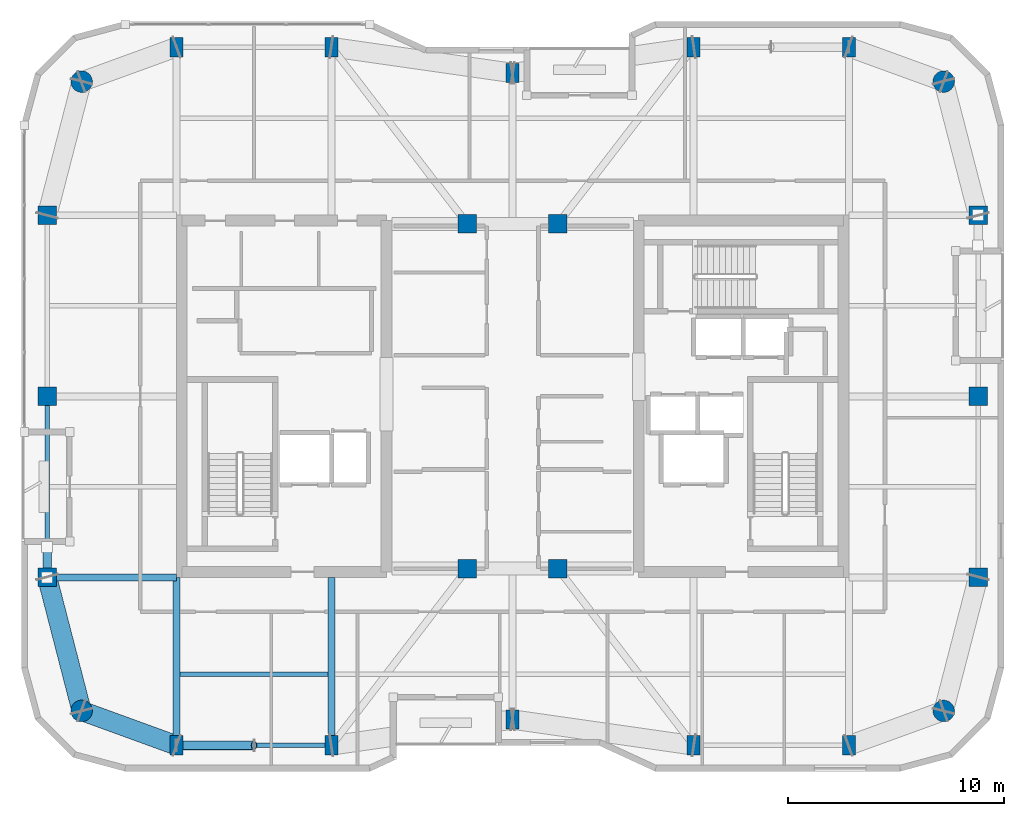
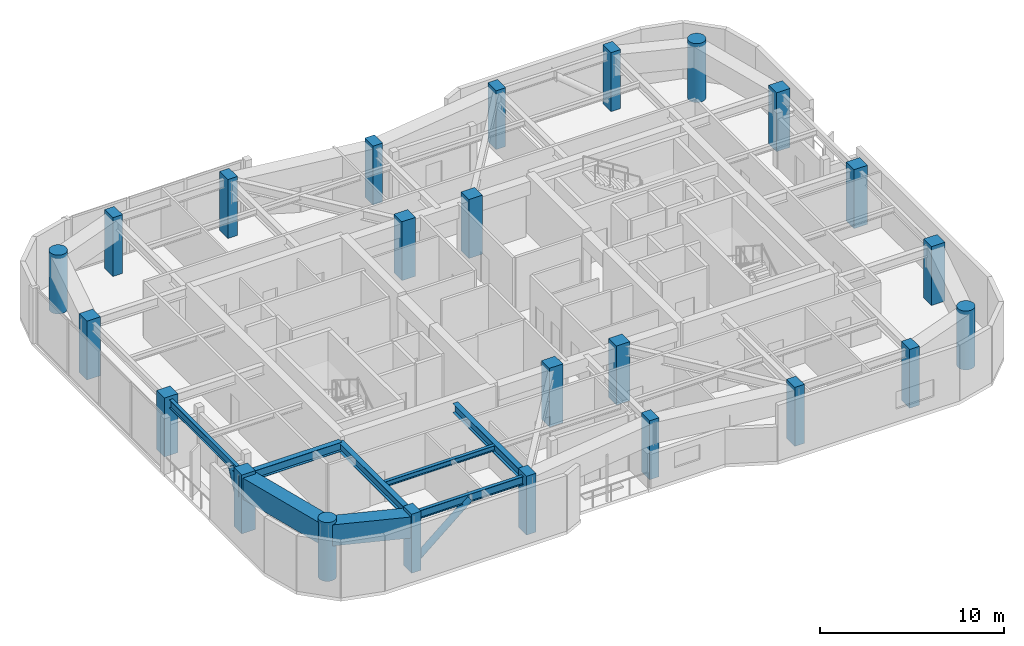
# One storey, part 1 of 15: 24 columns, 8 beams, 2 members.
"""IFC4 building model written with IfcOpenShell, lengths in metres."""

from ifc_helpers import new_model, si_unit, direction, frame, origin, origin_2d, place, context, subcontext, project, spatial, rectangle, hollow_rectangle, circle, hollow_circle, i_section, extrude, material, material_profile, profile_set, type_object, element, save


model = new_model("IFC4")

# Units and contexts
model_context = context("Model", 3, precision=1e-05, world=origin(), true_north=direction((0.0, 1.0)))
body_context = subcontext(model_context, "Body", "Model", "MODEL_VIEW")
ifc_project = project(units=[si_unit("LENGTHUNIT", "METRE"), si_unit("AREAUNIT", "SQUARE_METRE"), si_unit("VOLUMEUNIT", "CUBIC_METRE"), si_unit("PLANEANGLEUNIT", "RADIAN"), si_unit("MASSUNIT", "GRAM", prefix="KILO")], contexts=[model_context])

# Site, building, storey
site_placement = place(None, origin())
site = spatial("IfcSite", under=ifc_project, at=site_placement, CompositionType="ELEMENT")
building_placement = place(site_placement, origin())
building = spatial("IfcBuilding", under=site, at=building_placement, Name="Kiyonajd Concourse Tower", CompositionType="ELEMENT")
storey_placement = place(building_placement, frame((0.0, 0.0, 321.89990234375)))
storey = spatial("IfcBuildingStorey", under=building, at=storey_placement, Name="L81", CompositionType="ELEMENT", Elevation=321.89990234375)

# Columns
ifc_material_1 = material(Name="Concrete C60/75", Category="concrete")
ifc_material_profile_1 = material_profile(ifc_material_1, rectangle(XDim=0.60009765625, YDim=0.89990234375, at=origin_2d()), Name="RC-900x600")
ifc_profile_set_1 = profile_set([ifc_material_profile_1], Name="Concrete C60/75")
column_type_1 = type_object("IfcColumnType", Name="CL-BLADE-900", PredefinedType="COLUMN", material=ifc_profile_set_1)
for number, where, z_axis, x_axis, name in (
    (1, (32.39990234375, 19.800048828125, 0.0), (0.0, 0.0, 1.0), (1.0, 0.0, 0.0), "L81 Perimeter Bundled Tube Column"),
    (2, (32.39990234375, 52.199951171875, 0.0), (0.0, 0.0, 1.0), (1.0, 0.0, 0.0), "L81 Perimeter Bundled Tube Column"),
    (3, (39.60009765625, 19.800048828125, 0.0), (0.0, 0.0, 1.0), (1.0, 0.0, 0.0), "L81 Perimeter Bundled Tube Column"),
    (4, (39.60009765625, 52.199951171875, 0.0), (0.0, 0.0, 1.0), (1.0, 0.0, 0.0), "L81 Perimeter Bundled Tube Column"),
    (5, (48.0, 21.0, 0.0), (0.0, 0.0, 1.0), (1.0, 0.0, 0.0), "L81 Perimeter Bundled Tube Column"),
    (6, (48.0, 51.0, 0.0), (0.0, 0.0, 1.0), (1.0, 0.0, 0.0), "L81 Perimeter Bundled Tube Column"),
    (7, (56.39990234375, 19.800048828125, 0.0), (0.0, 0.0, 1.0), (1.0, 0.0, 0.0), "L81 Perimeter Bundled Tube Column"),
    (8, (56.39990234375, 52.199951171875, 0.0), (0.0, 0.0, 1.0), (1.0, 0.0, 0.0), "L81 Perimeter Bundled Tube Column"),
    (9, (63.60009765625, 19.800048828125, 0.0), (0.0, 0.0, 1.0), (1.0, 0.0, 0.0), "L81 Perimeter Bundled Tube Column"),
    (10, (63.60009765625, 52.199951171875, 0.0), (0.0, 0.0, 1.0), (1.0, 0.0, 0.0), "L81 Perimeter Bundled Tube Column"),
):
    element("IfcColumn", number, at=place(storey_placement, frame(where, z_axis=z_axis, x_axis=x_axis)), inside=storey, type_object=column_type_1, Name=name, PredefinedType="COLUMN", context=body_context, shape_type="SweptSolid", body=[
        extrude(rectangle(XDim=0.60009765625, YDim=0.89990234375, at=origin_2d()), origin(), (0.0, 0.0, 1.0), 3.900146484375),
    ])
ifc_material_profile_2 = material_profile(ifc_material_1, circle(Radius=0.5, at=origin_2d()), Name="RCC-D1000")
ifc_profile_set_2 = profile_set([ifc_material_profile_2], Name="Concrete C60/75")
column_type_2 = type_object("IfcColumnType", Name="CL-RND-1000", PredefinedType="COLUMN", material=ifc_profile_set_2)
for number, where, z_axis, x_axis, name in (
    (11, (28.0, 21.39990234375, 0.0), (0.0, 0.0, 1.0), (1.0, 0.0, 0.0), "L81 Bundled Tube Corner Column South West"),
    (12, (68.0, 21.39990234375, 0.0), (0.0, 0.0, 1.0), (1.0, 0.0, 0.0), "L81 Bundled Tube Corner Column South East"),
    (13, (68.0, 50.60009765625, 0.0), (0.0, 0.0, 1.0), (1.0, 0.0, 0.0), "L81 Bundled Tube Corner Column North East"),
    (14, (28.0, 50.60009765625, 0.0), (0.0, 0.0, 1.0), (1.0, 0.0, 0.0), "L81 Bundled Tube Corner Column North West"),
):
    element("IfcColumn", number, at=place(storey_placement, frame(where, z_axis=z_axis, x_axis=x_axis)), inside=storey, type_object=column_type_2, Name=name, PredefinedType="COLUMN", context=body_context, shape_type="SweptSolid", body=[
        extrude(circle(Radius=0.5, at=origin_2d()), origin(), (0.0, 0.0, 1.0), 3.900146484375),
    ])
ifc_material_profile_3 = material_profile(ifc_material_1, rectangle(XDim=0.85009765625, YDim=0.85009765625, at=origin_2d()), Name="RC-850x850")
ifc_profile_set_3 = profile_set([ifc_material_profile_3], Name="Concrete C60/75")
column_type_3 = type_object("IfcColumnType", Name="CL-TUBE-850", PredefinedType="COLUMN", material=ifc_profile_set_3)
for number, where, z_axis, x_axis, name in (
    (15, (26.39990234375, 27.60009765625, 0.0), (0.0, 0.0, 1.0), (1.0, 0.0, 0.0), "L81 Perimeter Bundled Tube Column"),
    (16, (69.60009765625, 27.60009765625, 0.0), (0.0, 0.0, 1.0), (1.0, 0.0, 0.0), "L81 Perimeter Bundled Tube Column"),
    (17, (26.39990234375, 36.0, 0.0), (0.0, 0.0, 1.0), (1.0, 0.0, 0.0), "L81 Perimeter Bundled Tube Column"),
    (18, (69.60009765625, 36.0, 0.0), (0.0, 0.0, 1.0), (1.0, 0.0, 0.0), "L81 Perimeter Bundled Tube Column"),
    (19, (26.39990234375, 44.39990234375, 0.0), (0.0, 0.0, 1.0), (1.0, 0.0, 0.0), "L81 Perimeter Bundled Tube Column"),
    (20, (69.60009765625, 44.39990234375, 0.0), (0.0, 0.0, 1.0), (1.0, 0.0, 0.0), "L81 Perimeter Bundled Tube Column"),
    (21, (45.89990234375, 28.0, 0.0), (0.0, 0.0, 1.0), (1.0, 0.0, 0.0), "L81 Core Tie Column South West"),
    (22, (50.10009765625, 28.0, 0.0), (0.0, 0.0, 1.0), (1.0, 0.0, 0.0), "L81 Core Tie Column South East"),
    (23, (45.89990234375, 44.0, 0.0), (0.0, 0.0, 1.0), (1.0, 0.0, 0.0), "L81 Core Tie Column North West"),
    (24, (50.10009765625, 44.0, 0.0), (0.0, 0.0, 1.0), (1.0, 0.0, 0.0), "L81 Core Tie Column North East"),
):
    element("IfcColumn", number, at=place(storey_placement, frame(where, z_axis=z_axis, x_axis=x_axis)), inside=storey, type_object=column_type_3, Name=name, PredefinedType="COLUMN", context=body_context, shape_type="SweptSolid", body=[
        extrude(rectangle(XDim=0.85009765625, YDim=0.85009765625, at=origin_2d()), origin(), (0.0, 0.0, 1.0), 3.900146484375),
    ])

# Beams
ifc_material_2 = material(Name="Steel ASTM A992 Grade 50", Category="steel")
ifc_material_profile_4 = material_profile(ifc_material_2, i_section(OverallWidth=0.205078125, OverallDepth=0.35400390625, WebThickness=0.009521484375, FlangeThickness=0.016845703125, at=origin_2d()), Name="W360X79")
ifc_profile_set_4 = profile_set([ifc_material_profile_4], Name="Steel ASTM A992 Grade 50")
beam_type_1 = type_object("IfcBeamType", Name="BM-JST-360", PredefinedType="JOIST", material=ifc_profile_set_4)
beam_1_placement = place(storey_placement, frame((32.56201171875, 23.10009765625, 3.503173828125), z_axis=(1.0, 0.0, 0.0), x_axis=(0.0, 1.0, 0.0)))
element("IfcBeam", 25, at=beam_1_placement, inside=storey, type_object=beam_type_1, Name="L81 Secondary Floor Joist", PredefinedType="JOIST", context=body_context, shape_type="SweptSolid", body=[
    extrude(i_section(OverallWidth=0.205078125, OverallDepth=0.35400390625, WebThickness=0.009521484375, FlangeThickness=0.016845703125, at=origin_2d()), origin(), (0.0, 0.0, 1.0), 6.8759765625),
])
ifc_material_profile_5 = material_profile(ifc_material_2, i_section(OverallWidth=0.2109375, OverallDepth=0.5390625, WebThickness=0.01171875, FlangeThickness=0.018798828125, at=origin_2d()), Name="W530X109")
ifc_profile_set_5 = profile_set([ifc_material_profile_5], Name="Steel ASTM A992 Grade 50")
beam_type_2 = type_object("IfcBeamType", Name="BM-SPAN-530B", PredefinedType="SPANDREL", material=ifc_profile_set_5)
beam_2_placement = place(storey_placement, frame((32.39990234375, 19.800048828125, 3.41064453125), z_axis=(1.0, 0.0, 0.0), x_axis=(0.0, 1.0, 0.0)))
element("IfcBeam", 26, at=beam_2_placement, inside=storey, type_object=beam_type_2, Name="L81 Perimeter Bundled Tube Spandrel", PredefinedType="SPANDREL", context=body_context, shape_type="SweptSolid", body=[
    extrude(i_section(OverallWidth=0.2109375, OverallDepth=0.5390625, WebThickness=0.01171875, FlangeThickness=0.018798828125, at=origin_2d()), origin(), (0.0, 0.0, 1.0), 7.2001953125),
])
beam_3_placement = place(storey_placement, frame((26.39990234375, 36.0, 3.41064453125), z_axis=(0.0, -1.0, 0.0), x_axis=(1.0, 0.0, 0.0)))
element("IfcBeam", 27, at=beam_3_placement, inside=storey, type_object=beam_type_2, Name="L81 Perimeter Bundled Tube Spandrel", PredefinedType="SPANDREL", context=body_context, shape_type="SweptSolid", body=[
    extrude(i_section(OverallWidth=0.2109375, OverallDepth=0.5390625, WebThickness=0.01171875, FlangeThickness=0.018798828125, at=origin_2d()), origin(), (0.0, 0.0, 1.0), 8.39990234375),
])
ifc_material_profile_6 = material_profile(ifc_material_2, i_section(OverallWidth=0.323974609375, OverallDepth=0.611083984375, WebThickness=0.0126953125, FlangeThickness=0.01904296875, at=origin_2d()), Name="W610X155")
ifc_profile_set_6 = profile_set([ifc_material_profile_6], Name="Steel ASTM A992 Grade 50")
beam_type_3 = type_object("IfcBeamType", Name="BM-TWR-610B", PredefinedType="BEAM", material=ifc_profile_set_6)
for number, where, z_axis, x_axis, name in (
    (28, (32.39990234375, 19.800048828125, 3.37451171875), (0.0, 1.0, 0.0), (-1.0, 0.0, 0.0), "L81 South Lease Girder"),
    (29, (39.60009765625, 19.800048828125, 3.37451171875), (0.0, 1.0, 0.0), (-1.0, 0.0, 0.0), "L81 South Lease Girder"),
):
    element("IfcBeam", number, at=place(storey_placement, frame(where, z_axis=z_axis, x_axis=x_axis)), inside=storey, type_object=beam_type_3, Name=name, PredefinedType="BEAM", context=body_context, shape_type="SweptSolid", body=[
        extrude(i_section(OverallWidth=0.323974609375, OverallDepth=0.611083984375, WebThickness=0.0126953125, FlangeThickness=0.01904296875, at=origin_2d()), origin(), (0.0, 0.0, 1.0), 7.800048828125),
    ])
beam_4_placement = place(storey_placement, frame((26.39990234375, 27.60009765625, 3.37451171875), z_axis=(1.0, 0.0, 0.0), x_axis=(0.0, 1.0, 0.0)))
element("IfcBeam", 30, at=beam_4_placement, inside=storey, type_object=beam_type_3, Name="L81 West Lease Girder", PredefinedType="BEAM", context=body_context, shape_type="SweptSolid", body=[
    extrude(i_section(OverallWidth=0.323974609375, OverallDepth=0.611083984375, WebThickness=0.0126953125, FlangeThickness=0.01904296875, at=origin_2d()), origin(), (0.0, 0.0, 1.0), 6.0),
])
ifc_material_3 = material(Name="Steel ASTM A572 Grade 50", Category="steel")
ifc_material_profile_7 = material_profile(ifc_material_3, hollow_rectangle(XDim=0.89990234375, YDim=1.39990234375, WallThickness=0.070068359375, at=origin_2d()), Name="BOX-1400x900x70")
ifc_profile_set_7 = profile_set([ifc_material_profile_7], Name="Steel ASTM A572 Grade 50")
beam_type_4 = type_object("IfcBeamType", Name="BM-XFER-1400", PredefinedType="BEAM", material=ifc_profile_set_7)
beam_5_placement = place(storey_placement, frame((26.39990234375, 27.60009765625, 2.97998046875), z_axis=(0.249884937687, -0.968275538221, 0.0), x_axis=(0.968275538221, 0.249884937687, 0.0)))
element("IfcBeam", 31, at=beam_5_placement, inside=storey, type_object=beam_type_4, Name="L81 Perimeter Bundled Tube Spandrel", PredefinedType="BEAM", context=body_context, shape_type="SweptSolid", body=[
    extrude(hollow_rectangle(XDim=0.89990234375, YDim=1.39990234375, WallThickness=0.070068359375, at=origin_2d()), origin(), (0.0, 0.0, 1.0), 6.4033203125),
])
beam_6_placement = place(storey_placement, frame((28.0, 21.39990234375, 2.97998046875), z_axis=(0.939801036019, -0.341722127901, 0.0), x_axis=(0.341722127901, 0.939801036019, 0.0)))
element("IfcBeam", 32, at=beam_6_placement, inside=storey, type_object=beam_type_4, Name="L81 Perimeter Bundled Tube Spandrel", PredefinedType="BEAM", context=body_context, shape_type="SweptSolid", body=[
    extrude(hollow_rectangle(XDim=0.89990234375, YDim=1.39990234375, WallThickness=0.070068359375, at=origin_2d()), origin(), (0.0, 0.0, 1.0), 4.681640625),
])

# Members
ifc_material_4 = material(Name="Steel ASTM A500 Grade C", Category="steel")
ifc_material_profile_8 = material_profile(ifc_material_4, hollow_circle(Radius=0.202880859375, WallThickness=0.01904296875, at=origin_2d()), Name="CHS-406x19")
ifc_profile_set_8 = profile_set([ifc_material_profile_8], Name="Steel ASTM A500 Grade C")
member_type = type_object("IfcMemberType", Name="MB-PB-HIGH", PredefinedType="BRACE", material=ifc_profile_set_8)
member_1_placement = place(storey_placement, frame((32.39990234375, 19.800048828125, 0.300048828125), z_axis=(0.765082043761, 0.0, 0.643932811957), x_axis=(0.0, 1.0, 0.0)))
element("IfcMember", 33, at=member_1_placement, inside=storey, type_object=member_type, Name="L81 Upper Zone Hollow Tube Brace PBS", PredefinedType="BRACE", context=body_context, shape_type="SweptSolid", body=[
    extrude(hollow_circle(Radius=0.202880859375, WallThickness=0.01904296875, at=origin_2d()), origin(), (0.0, 0.0, 1.0), 4.70556640625),
])
member_2_placement = place(storey_placement, frame((26.39990234375, 27.60009765625, 0.300048828125), z_axis=(0.0, 0.419410666774, 0.907796614114), x_axis=(-1.0, 0.0, 0.0)))
element("IfcMember", 34, at=member_2_placement, inside=storey, type_object=member_type, Name="L81 Upper Zone Hollow Tube Brace PBW", PredefinedType="BRACE", context=body_context, shape_type="SweptSolid", body=[
    extrude(hollow_circle(Radius=0.202880859375, WallThickness=0.01904296875, at=origin_2d()), origin(), (0.0, 0.0, 1.0), 3.337890625),
])

save(model, "model.ifc")
